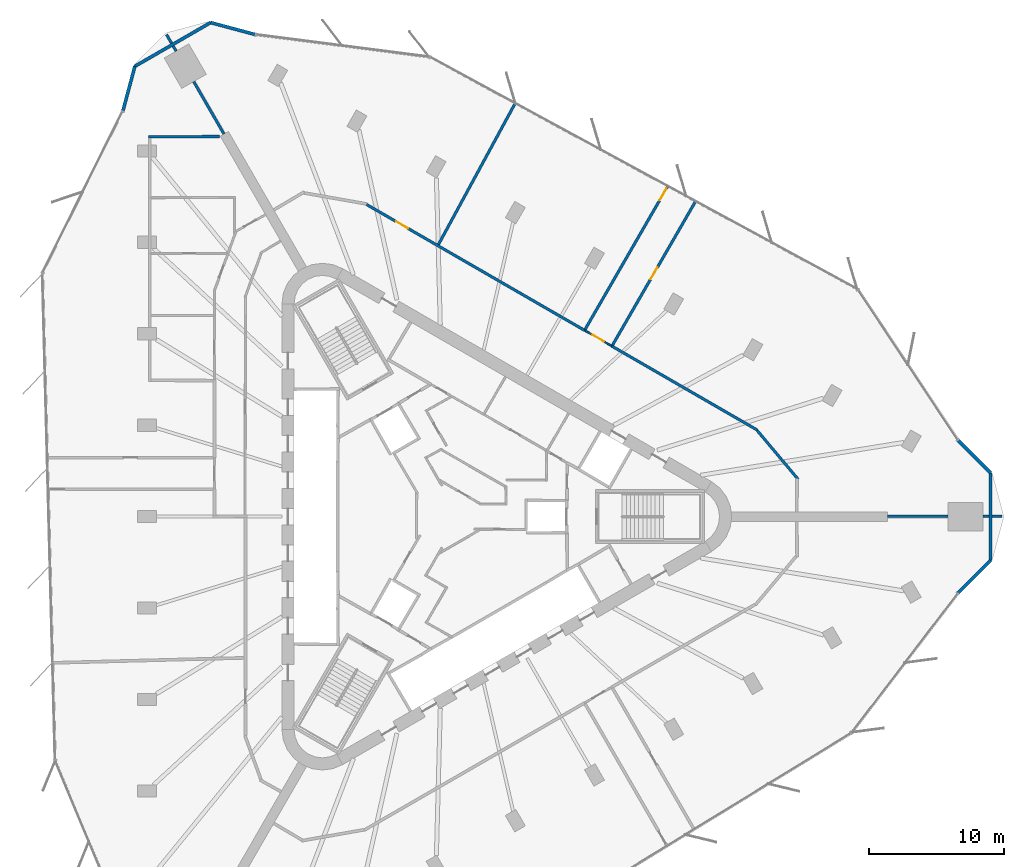
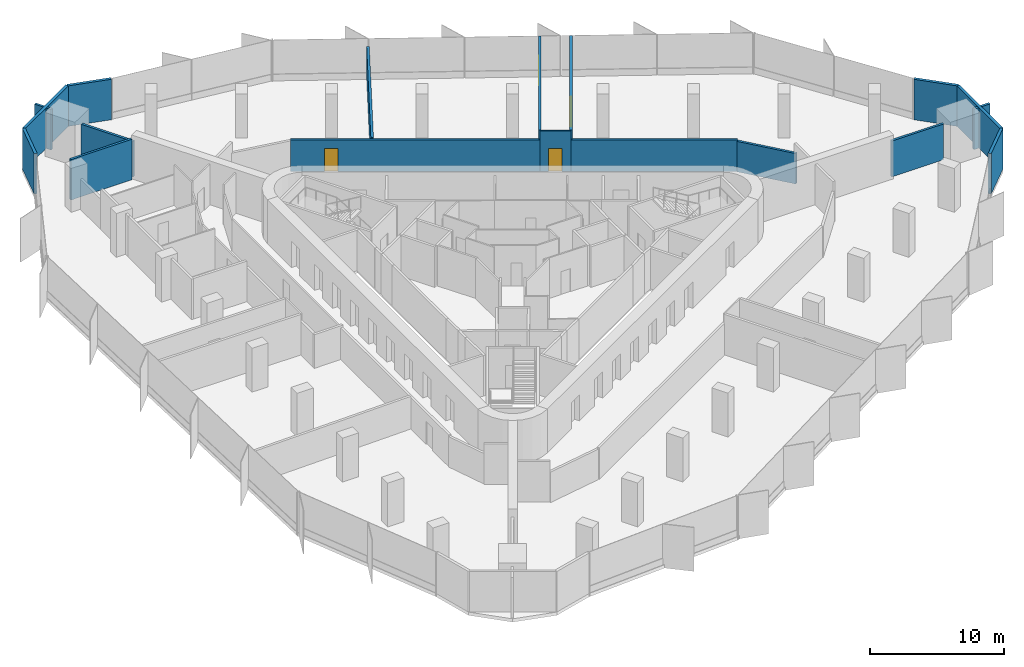
# One storey, part 12 of 14: 20 walls, 4 doors, 4 openings.
"""IFC4 building model written with IfcOpenShell, lengths in metres."""

import ifcopenshell
import ifcopenshell.guid

model = None  # the IFC model being written
_history = None  # IfcOwnerHistory: only IFC2X3 demands one
_inside = {}  # id of a spatial element -> (the spatial element, [elements in it])
_under = {}  # id of a project, library or spatial element -> (it, [spatial elements below it])
_declared = {}  # id of a project -> (the project, [libraries it declares])
_typed = {}  # id of a type object -> (the type object, [elements of that type])
_made_of = {}  # id of a material, layer set ... -> (it, [elements and type objects made of it])


def new_model(schema):
    """Start an empty IFC model of exactly this schema.

    Asked for "IFC4X3", IfcOpenShell would pick the latest addendum, in which some entities
    have other attributes; the version numbers below select the first issue.
    IFC2X3 requires an IfcOwnerHistory on every rooted entity: one is made here for all.
    """
    global model, _history
    if schema == "IFC4X3":
        model = ifcopenshell.file(schema_version=(4, 3, 0, 0))
    else:
        model = ifcopenshell.file(schema=schema)
    _inside.clear()
    _under.clear()
    _declared.clear()
    _typed.clear()
    _made_of.clear()
    _history = None
    if model.schema == "IFC2X3":
        org = make("IfcOrganization", Name="unknown")
        user = make(
            "IfcPersonAndOrganization",
            ThePerson=make("IfcPerson", FamilyName="unknown"),
            TheOrganization=org,
        )
        app = make(
            "IfcApplication",
            ApplicationDeveloper=org,
            Version="unknown",
            ApplicationFullName="unknown",
            ApplicationIdentifier="unknown",
        )
        _history = make(
            "IfcOwnerHistory",
            OwningUser=user,
            OwningApplication=app,
            ChangeAction="ADDED",
            CreationDate=0,
        )
    return model


def make(cls, **values):
    """One entity of the class cls with the attributes given. An attribute that is None is left unset."""
    return model.create_entity(
        cls, **{name: value for name, value in values.items() if value is not None}
    )


def rooted(cls, **values):
    """An entity with a GlobalId (a new one), such as an element, a storey or a relation."""
    return make(cls, GlobalId=ifcopenshell.guid.new(), OwnerHistory=_history, **values)


def si_unit(unit_type, name, prefix=None):
    """IfcSIUnit, for example si_unit("LENGTHUNIT", "METRE", prefix="MILLI")."""
    return make("IfcSIUnit", UnitType=unit_type, Prefix=prefix, Name=name)


def assignment(units):
    """IfcUnitAssignment: the units of a project."""
    return None if units is None else make("IfcUnitAssignment", Units=units)


def point(xyz):
    """IfcCartesianPoint."""
    return None if xyz is None else make("IfcCartesianPoint", Coordinates=xyz)


def direction(xyz):
    """IfcDirection."""
    return None if xyz is None else make("IfcDirection", DirectionRatios=xyz)


def frame(location, z_axis=None, x_axis=None):
    """IfcAxis2Placement3D, a coordinate frame: its origin and axes. An axis left out is left unset."""
    return make(
        "IfcAxis2Placement3D",
        Location=point(location),
        Axis=direction(z_axis),
        RefDirection=direction(x_axis),
    )


def frame_2d(location, x_axis=None):
    """IfcAxis2Placement2D, a coordinate frame in the plane: its origin and x axis."""
    return make(
        "IfcAxis2Placement2D", Location=point(location), RefDirection=direction(x_axis)
    )


def origin():
    """The frame at (0, 0, 0) with its axes left unset."""
    return frame((0.0, 0.0, 0.0))


def place(relative_to, where):
    """IfcLocalPlacement: puts the frame where relative to a parent placement (None: the world)."""
    return make(
        "IfcLocalPlacement", PlacementRelTo=relative_to, RelativePlacement=where
    )


def context(
    kind, dimensions, precision=None, world=None, true_north=None, identifier=None
):
    """IfcGeometricRepresentationContext, for example the 3D "Model" context."""
    return make(
        "IfcGeometricRepresentationContext",
        ContextIdentifier=identifier,
        ContextType=kind,
        CoordinateSpaceDimension=dimensions,
        Precision=precision,
        WorldCoordinateSystem=world,
        TrueNorth=true_north,
    )


def subcontext(parent, identifier, kind, view, scale=None):
    """IfcGeometricRepresentationSubContext, for example "Body" below "Model"."""
    return make(
        "IfcGeometricRepresentationSubContext",
        ContextIdentifier=identifier,
        ContextType=kind,
        ParentContext=parent,
        TargetScale=scale,
        TargetView=view,
    )


def project(units=None, contexts=None):
    """IfcProject with its units and contexts."""
    return rooted(
        "IfcProject",
        Name="project",
        RepresentationContexts=contexts,
        UnitsInContext=assignment(units),
    )


def spatial(cls, under=None, at=None, **own):
    """A site, building, storey or space (cls), placed at a placement, below another one or the project."""
    s = rooted(cls, ObjectPlacement=at, **own)
    if under is not None:
        _under.setdefault(under.id(), (under, []))[1].append(s)
    return s


def profile(cls, at=None, kind="AREA", **sizes):
    """A parametric profile (cls). Its sizes go by their IFC names, for example OverallWidth=200.0."""
    return make(cls, ProfileType=kind, Position=at, **sizes)


def rectangle(**sizes):
    """IfcRectangleProfileDef."""
    return profile("IfcRectangleProfileDef", **sizes)


def extrude(swept, where, along, depth):
    """IfcExtrudedAreaSolid: the profile swept, set in the frame where, extruded along a direction by depth."""
    return make(
        "IfcExtrudedAreaSolid",
        SweptArea=swept,
        Position=where,
        ExtrudedDirection=direction(along),
        Depth=depth,
    )


def shape(context_of_items, identifier, shape_type, items):
    """IfcShapeRepresentation: the items that make up one representation, for example the "Body"."""
    return make(
        "IfcShapeRepresentation",
        ContextOfItems=context_of_items,
        RepresentationIdentifier=identifier,
        RepresentationType=shape_type,
        Items=items,
    )


def material(Name=None, Category=None):
    """IfcMaterial."""
    return make("IfcMaterial", Name=Name, Category=Category)


def layer(
    of_material, thickness, ventilated=None, Name=None, Category=None, Priority=None
):
    """IfcMaterialLayer: one layer of a wall or slab, of a material (None: an air gap)."""
    return make(
        "IfcMaterialLayer",
        Material=of_material,
        LayerThickness=thickness,
        IsVentilated=ventilated,
        Name=Name,
        Category=Category,
        Priority=Priority,
    )


def layer_set(layers, Name=None):
    """IfcMaterialLayerSet."""
    return make("IfcMaterialLayerSet", MaterialLayers=layers, LayerSetName=Name)


def made_of(thing, what):
    """Note that an element or type object is made of a material, layer set ...; save() writes the relation."""
    if what is not None:
        _made_of.setdefault(what.id(), (what, []))[1].append(thing)
    return thing


def type_object(cls, material=None, **own):
    """A type object (cls), such as IfcWallType, which elements share."""
    return made_of(rooted(cls, **own), material)


def element(
    cls,
    number,
    at=None,
    inside=None,
    cuts=None,
    type_object=None,
    material=None,
    context=None,
    identifier="Body",
    shape_type=None,
    held_by="IfcProductDefinitionShape",
    body=None,
    shapes=None,
    **own,
):
    """One element of the class cls, such as IfcWall. Its Tag is "e" and its number.

    at: its placement. inside: the storey or other place that contains it. cuts: it is an
    opening in that element (IfcRelVoidsElement). A single representation is given by context,
    identifier, shape_type and body (its items); several are given by shapes. held_by: the class
    of the entity that holds the representations. save() writes the other relations.
    """
    e = rooted(cls, Tag="e%d" % number, ObjectPlacement=at, **own)
    if body is not None:
        shapes = [shape(context, identifier, shape_type, body)]
    if shapes is not None:
        e.Representation = make(held_by, Representations=shapes)
    if inside is not None:
        _inside.setdefault(inside.id(), (inside, []))[1].append(e)
    if cuts is not None:
        rooted(
            "IfcRelVoidsElement", RelatingBuildingElement=cuts, RelatedOpeningElement=e
        )
    if type_object is not None:
        _typed.setdefault(type_object.id(), (type_object, []))[1].append(e)
    return made_of(e, material)


def fill(opening, filler):
    """IfcRelFillsElement: the door or window that sits in an opening."""
    return rooted(
        "IfcRelFillsElement",
        RelatingOpeningElement=opening,
        RelatedBuildingElement=filler,
    )


def aggregate(whole, parts):
    """IfcRelAggregates: a whole, such as a stair, and the parts it consists of."""
    return rooted("IfcRelAggregates", RelatingObject=whole, RelatedObjects=parts)


def save(model, path):
    """Write the relations noted so far, then the file.

    IfcRelAggregates (storeys below a building ...), IfcRelContainedInSpatialStructure (elements
    in a storey), IfcRelDefinesByType, IfcRelAssociatesMaterial and IfcRelDeclares: one each for
    every whole, place, type object, material and project.
    """
    for whole, parts in _under.values():
        aggregate(whole, parts)
    for where, things in _inside.values():
        rooted(
            "IfcRelContainedInSpatialStructure",
            RelatedElements=things,
            RelatingStructure=where,
        )
    for kind, things in _typed.values():
        rooted("IfcRelDefinesByType", RelatedObjects=things, RelatingType=kind)
    for what, things in _made_of.values():
        rooted("IfcRelAssociatesMaterial", RelatedObjects=things, RelatingMaterial=what)
    for by, libraries in _declared.values():
        rooted("IfcRelDeclares", RelatingContext=by, RelatedDefinitions=libraries)
    model.write(path)


model = new_model("IFC4")

# Units and contexts
model_context = context("Model", 3, precision=1e-05, world=origin(), true_north=direction((0.0, 1.0)))
body_context = subcontext(model_context, "Body", "Model", "MODEL_VIEW")
ifc_project = project(units=[si_unit("LENGTHUNIT", "METRE"), si_unit("AREAUNIT", "SQUARE_METRE"), si_unit("VOLUMEUNIT", "CUBIC_METRE"), si_unit("PLANEANGLEUNIT", "RADIAN"), si_unit("MASSUNIT", "GRAM", prefix="KILO")], contexts=[model_context])

# Site, building, storey
site_placement = place(None, origin())
site = spatial("IfcSite", under=ifc_project, at=site_placement, CompositionType="ELEMENT")
building_placement = place(site_placement, origin())
building = spatial("IfcBuilding", under=site, at=building_placement, Name="Tanit Gate Tower", CompositionType="ELEMENT")
storey_placement = place(building_placement, frame((0.0, 0.0, 221.199951171875)))
storey = spatial("IfcBuildingStorey", under=building, at=storey_placement, Name="L49", CompositionType="ELEMENT", Elevation=221.199951171875)

# Walls
ifc_material_1 = material(Name="Concrete C30/37 with bronze anodised aluminium cladding", Category="concrete")
ifc_layer_1 = layer(ifc_material_1, 0.239990234375)
ifc_layer_set_1 = layer_set([ifc_layer_1], Name="Facade wall bronze clad 240")
wall_type_1 = type_object("IfcWallType", Name="Facade wall bronze clad 240", PredefinedType="SOLIDWALL", material=ifc_layer_set_1)
wall_1_placement = place(storey_placement, frame((-14.09521484375, 35.705322265625, 0.0), z_axis=(0.0, 0.0, 1.0), x_axis=(-0.965908597484, 0.258883335322, 0.0)))
element("IfcWall", 1, at=wall_1_placement, inside=storey, type_object=wall_type_1, Name="Bronze-clad facade wall L49 NW.arc1", PredefinedType="SOLIDWALL", context=body_context, shape_type="SweptSolid", body=[
    extrude(rectangle(XDim=3.397705078125, YDim=0.239990234375, at=frame_2d((1.69873046875, 0.0))), origin(), (0.0, 0.0, 1.0), 3.699951171875),
])
wall_2_placement = place(storey_placement, frame((-17.377197265625, 36.5849609375, 0.0), z_axis=(0.0, 0.0, 1.0), x_axis=(-0.866022628259, -0.50000480732, 0.0)))
element("IfcWall", 2, at=wall_2_placement, inside=storey, type_object=wall_type_1, Name="Bronze-clad facade wall L49 NW.arc2", PredefinedType="SOLIDWALL", context=body_context, shape_type="SweptSolid", body=[
    extrude(rectangle(XDim=6.48681640625, YDim=0.239990234375, at=frame_2d((3.243408203125, 0.0))), origin(), (0.0, 0.0, 1.0), 3.699951171875),
])
wall_3_placement = place(storey_placement, frame((-22.994873046875, 33.341552734375, 0.0), z_axis=(0.0, 0.0, 1.0), x_axis=(-0.25879706975, -0.965931714299, 0.0)))
element("IfcWall", 3, at=wall_3_placement, inside=storey, type_object=wall_type_1, Name="Bronze-clad facade wall L49 NW.arc3", PredefinedType="SOLIDWALL", context=body_context, shape_type="SweptSolid", body=[
    extrude(rectangle(XDim=3.40185546875, YDim=0.239990234375, at=frame_2d((1.700927734375, 0.0))), origin(), (0.0, 0.0, 1.0), 3.699951171875),
])
wall_4_placement = place(storey_placement, frame((37.96923828125, -5.64599609375, 0.0), z_axis=(0.0, 0.0, 1.0), x_axis=(0.70714270502, 0.707070855528, 0.0)))
element("IfcWall", 4, at=wall_4_placement, inside=storey, type_object=wall_type_1, Name="Bronze-clad facade wall L49 E.arc1", PredefinedType="SOLIDWALL", context=body_context, shape_type="SweptSolid", body=[
    extrude(rectangle(XDim=3.39794921875, YDim=0.239990234375, at=frame_2d((1.698974609375, 0.0))), origin(), (0.0, 0.0, 1.0), 3.699951171875),
])
wall_5_placement = place(storey_placement, frame((40.3720703125, -3.243408203125, 0.0), z_axis=(0.0, 0.0, 1.0), x_axis=(0.0, 1.0, 0.0)))
element("IfcWall", 5, at=wall_5_placement, inside=storey, type_object=wall_type_1, Name="Bronze-clad facade wall L49 E.arc2", PredefinedType="SOLIDWALL", context=body_context, shape_type="SweptSolid", body=[
    extrude(rectangle(XDim=6.48681640625, YDim=0.239990234375, at=frame_2d((3.243408203125, 0.0))), origin(), (0.0, 0.0, 1.0), 3.699951171875),
])
wall_6_placement = place(storey_placement, frame((40.3720703125, 3.243408203125, 0.0), z_axis=(0.0, 0.0, 1.0), x_axis=(-0.707142664913, 0.707070895639, 0.0)))
element("IfcWall", 6, at=wall_6_placement, inside=storey, type_object=wall_type_1, Name="Bronze-clad facade wall L49 E.arc3", PredefinedType="SOLIDWALL", context=body_context, shape_type="SweptSolid", body=[
    extrude(rectangle(XDim=3.40185546875, YDim=0.239990234375, at=frame_2d((1.700927734375, 0.0))), origin(), (0.0, 0.0, 1.0), 3.699951171875),
])
ifc_material_2 = material(Name="Fire-rated gypsum board partition")
ifc_layer_2 = layer(ifc_material_2, 0.199951171875)
ifc_layer_set_2 = layer_set([ifc_layer_2], Name="INT-WALL-COMPARTMENT")
wall_type_2 = type_object("IfcWallType", Name="INT-WALL-COMPARTMENT", PredefinedType="PARTITIONING", material=ifc_layer_set_2)
wall_7_placement = place(storey_placement, frame((23.118896484375, 6.397705078125, 0.0), z_axis=(0.0, 0.0, 1.0), x_axis=(-0.866027821991, 0.499995811521, 0.0)))
element("IfcWall", 7, at=wall_7_placement, inside=storey, type_object=wall_type_2, Name="Wall Compartment W106", PredefinedType="PARTITIONING", context=body_context, shape_type="SweptSolid", body=[
    extrude(rectangle(XDim=12.47265625, YDim=0.199951171875, at=frame_2d((6.236328125, 0.0))), origin(), (0.0, 0.0, 1.0), 2.880126953125),
])

# Wall, opening, door
wall_8_placement = place(storey_placement, frame((10.325439453125, 13.783935546875, 0.0), z_axis=(0.0, 0.0, 1.0), x_axis=(-0.866025119466, 0.500000492453, 0.0)))
wall_8 = element("IfcWall", 8, at=wall_8_placement, inside=storey, type_object=wall_type_2, Name="Wall Compartment W105", PredefinedType="PARTITIONING", context=body_context, shape_type="SweptSolid", body=[
    extrude(rectangle(XDim=18.6728515625, YDim=0.199951171875, at=frame_2d((9.33642578125, 0.0))), origin(), (0.0, 0.0, 1.0), 2.880126953125),
])
opening_1_placement = place(wall_8_placement, frame((15.1181640625, 0.0, 0.0)))
opening_1 = element("IfcOpeningElement", 9, at=opening_1_placement, cuts=wall_8, Name="Opening F10-S13-29", PredefinedType="OPENING", context=body_context, shape_type="SweptSolid", body=[
    extrude(rectangle(XDim=1.0, YDim=2.10009765625, at=frame_2d((0.5, 1.050048828125))), frame((0.0, 0.10986328125, 0.0), z_axis=(0.0, -1.0, 0.0), x_axis=(1.0, 0.0, 0.0)), (0.0, 0.0, 1.0), 0.219970703125),
])
ifc_material_3 = material(Name="Fire-rated steel door leaf", Category="steel")
door_type_1 = type_object("IfcDoorType", Name="INT-DOOR-FIRE-1000", OperationType="NOTDEFINED", PredefinedType="USERDEFINED", material=ifc_material_3)
door_1_placement = place(opening_1_placement, origin())
door_1 = element("IfcDoor", 10, at=door_1_placement, inside=storey, type_object=door_type_1, Name="Door F10-S13-29", ObjectType="FIRE DOOR", OperationType="SINGLE_SWING_RIGHT", OverallHeight=2.10009765625, OverallWidth=1.0, PredefinedType="USERDEFINED", context=body_context, shape_type="SweptSolid", body=[
    extrude(rectangle(XDim=1.0, YDim=2.10009765625, at=frame_2d((0.5, 1.050048828125))), frame((0.0, 0.02490234375, 0.0), z_axis=(0.0, -1.0, 0.0), x_axis=(1.0, 0.0, 0.0)), (0.0, 0.0, 1.0), 0.050048828125),
])
fill(opening_1, door_1)

# Walls
wall_9_placement = place(storey_placement, frame((26.12109375, 2.766357421875, 0.0), z_axis=(0.0, 0.0, 1.0), x_axis=(-0.642778291452, 0.766052261949, 0.0)))
element("IfcWall", 11, at=wall_9_placement, inside=storey, type_object=wall_type_2, Name="Wall Compartment W107", PredefinedType="PARTITIONING", context=body_context, shape_type="SweptSolid", body=[
    extrude(rectangle(XDim=4.70556640625, YDim=0.199951171875, at=frame_2d((2.352783203125, 0.0))), origin(), (0.0, 0.0, 1.0), 2.780029296875),
])
wall_10_placement = place(storey_placement, frame((-20.642578125, 35.69384765625, 0.0), z_axis=(0.0, 0.0, 1.0), x_axis=(0.500178781653, -0.865922159541, 0.0)))
element("IfcWall", 12, at=wall_10_placement, inside=storey, type_object=wall_type_2, Name="Wall Compartment W121", PredefinedType="PARTITIONING", context=body_context, shape_type="SweptSolid", body=[
    extrude(rectangle(XDim=0.740966796875, YDim=0.199951171875, at=frame_2d((0.37060546875, 0.0))), origin(), (0.0, 0.0, 1.0), 3.699951171875),
])
wall_11_placement = place(storey_placement, frame((-20.152099609375, 34.84423828125, 0.0), z_axis=(0.0, 0.0, 1.0), x_axis=(0.500286910726, -0.865859692419, 0.0)))
element("IfcWall", 13, at=wall_11_placement, inside=storey, type_object=wall_type_2, Name="Wall Compartment W121x1", PredefinedType="PARTITIONING", context=body_context, shape_type="SweptSolid", body=[
    extrude(rectangle(XDim=0.436767578125, YDim=0.199951171875, at=frame_2d((0.21826171875, 0.0))), origin(), (0.0, 0.0, 1.0), 3.699951171875),
])
wall_12_placement = place(storey_placement, frame((-18.633544921875, 32.21435546875, 0.0), z_axis=(0.0, 0.0, 1.0), x_axis=(0.499962811355, -0.866046873594, 0.0)))
element("IfcWall", 14, at=wall_12_placement, inside=storey, type_object=wall_type_2, Name="Wall Compartment W122", PredefinedType="PARTITIONING", context=body_context, shape_type="SweptSolid", body=[
    extrude(rectangle(XDim=4.484130859375, YDim=0.199951171875, at=frame_2d((2.2421875, 0.0))), origin(), (0.0, 0.0, 1.0), 3.27001953125),
])
wall_13_placement = place(storey_placement, frame((-16.708984375, 28.1474609375, 0.0), z_axis=(0.0, 0.0, 1.0), x_axis=(-0.999985868011, -0.00531636886, 0.0)))
element("IfcWall", 15, at=wall_13_placement, inside=storey, type_object=wall_type_2, Name="Wall Compartment W127", PredefinedType="PARTITIONING", context=body_context, shape_type="SweptSolid", body=[
    extrude(rectangle(XDim=5.281005859375, YDim=0.199951171875, at=frame_2d((2.640625, 0.0))), origin(), (0.0, 0.0, 1.0), 3.699951171875),
])

# Wall, opening, door
wall_14_placement = place(storey_placement, frame((16.468505859375, 24.46435546875, 0.0), z_axis=(0.0, 0.0, 1.0), x_axis=(-0.499989616998, -0.866031398331, 0.0)))
wall_14 = element("IfcWall", 16, at=wall_14_placement, inside=storey, type_object=wall_type_2, Name="Wall Compartment W129", PredefinedType="PARTITIONING", context=body_context, shape_type="SweptSolid", body=[
    extrude(rectangle(XDim=12.260986328125, YDim=0.199951171875, at=frame_2d((6.13037109375, 0.0))), origin(), (0.0, 0.0, 1.0), 3.699951171875),
])
opening_2_placement = place(wall_14_placement, frame((0.199951171875, 0.0, 0.0)))
opening_2 = element("IfcOpeningElement", 17, at=opening_2_placement, cuts=wall_14, Name="Opening F10-S13-30", PredefinedType="OPENING", context=body_context, shape_type="SweptSolid", body=[
    extrude(rectangle(XDim=1.0, YDim=2.10009765625, at=frame_2d((0.5, 1.050048828125))), frame((0.0, 0.10986328125, 0.0), z_axis=(0.0, -1.0, 0.0), x_axis=(1.0, 0.0, 0.0)), (0.0, 0.0, 1.0), 0.219970703125),
])
door_2_placement = place(opening_2_placement, origin())
door_2 = element("IfcDoor", 18, at=door_2_placement, inside=storey, type_object=door_type_1, Name="Door F10-S13-30", ObjectType="FIRE DOOR", OperationType="SINGLE_SWING_RIGHT", OverallHeight=2.10009765625, OverallWidth=1.0, PredefinedType="USERDEFINED", context=body_context, shape_type="SweptSolid", body=[
    extrude(rectangle(XDim=1.0, YDim=2.10009765625, at=frame_2d((0.5, 1.050048828125))), frame((0.0, 0.02490234375, 0.0), z_axis=(0.0, -1.0, 0.0), x_axis=(1.0, 0.0, 0.0)), (0.0, 0.0, 1.0), 0.050048828125),
])
fill(opening_2, door_2)

wall_15_placement = place(storey_placement, frame((12.364501953125, 12.676025390625, 0.0), z_axis=(0.0, 0.0, 1.0), x_axis=(0.500008872635, 0.866020281106, 0.0)))
wall_15 = element("IfcWall", 19, at=wall_15_placement, inside=storey, type_object=wall_type_2, Name="Wall Compartment W130", PredefinedType="PARTITIONING", context=body_context, shape_type="SweptSolid", body=[
    extrude(rectangle(XDim=12.322021484375, YDim=0.199951171875, at=frame_2d((6.1611328125, 0.0))), origin(), (0.0, 0.0, 1.0), 3.699951171875),
])
opening_3_placement = place(wall_15_placement, frame((5.660888671875, 0.0, 0.0)))
opening_3 = element("IfcOpeningElement", 20, at=opening_3_placement, cuts=wall_15, Name="Opening F10-S13-31", PredefinedType="OPENING", context=body_context, shape_type="SweptSolid", body=[
    extrude(rectangle(XDim=1.0, YDim=2.10009765625, at=frame_2d((0.5, 1.050048828125))), frame((0.0, 0.10986328125, 0.0), z_axis=(0.0, -1.0, 0.0), x_axis=(1.0, 0.0, 0.0)), (0.0, 0.0, 1.0), 0.219970703125),
])
door_3_placement = place(opening_3_placement, origin())
door_3 = element("IfcDoor", 21, at=door_3_placement, inside=storey, type_object=door_type_1, Name="Door F10-S13-31", ObjectType="FIRE DOOR", OperationType="SINGLE_SWING_LEFT", OverallHeight=2.10009765625, OverallWidth=1.0, PredefinedType="USERDEFINED", context=body_context, shape_type="SweptSolid", body=[
    extrude(rectangle(XDim=1.0, YDim=2.10009765625, at=frame_2d((0.5, 1.050048828125))), frame((0.0, 0.02490234375, 0.0), z_axis=(0.0, -1.0, 0.0), x_axis=(1.0, 0.0, 0.0)), (0.0, 0.0, 1.0), 0.050048828125),
])
fill(opening_3, door_3)

# Walls
wall_16_placement = place(storey_placement, frame((-0.507568359375, 20.15380859375, 0.0), z_axis=(0.0, 0.0, 1.0), x_axis=(0.477264499804, 0.878759692536, 0.0)))
element("IfcWall", 22, at=wall_16_placement, inside=storey, type_object=wall_type_2, Name="Wall Compartment W131", PredefinedType="PARTITIONING", context=body_context, shape_type="SweptSolid", body=[
    extrude(rectangle(XDim=11.8896484375, YDim=0.199951171875, at=frame_2d((5.94482421875, 0.0))), origin(), (0.0, 0.0, 1.0), 2.97998046875),
])
wall_17_placement = place(storey_placement, frame((32.73095703125, 0.030029296875, 0.0), z_axis=(0.0, 0.0, 1.0), x_axis=(1.0, 0.0, 0.0)))
element("IfcWall", 23, at=wall_17_placement, inside=storey, type_object=wall_type_2, Name="Wall Compartment W132", PredefinedType="PARTITIONING", context=body_context, shape_type="SweptSolid", body=[
    extrude(rectangle(XDim=4.484375, YDim=0.199951171875, at=frame_2d((2.2421875, 0.0))), origin(), (0.0, 0.0, 1.0), 3.27001953125),
])
wall_18_placement = place(storey_placement, frame((39.815185546875, 0.030029296875, 0.0), z_axis=(0.0, 0.0, 1.0), x_axis=(1.0, 0.0, 0.0)))
element("IfcWall", 24, at=wall_18_placement, inside=storey, type_object=wall_type_2, Name="Wall Compartment W133", PredefinedType="PARTITIONING", context=body_context, shape_type="SweptSolid", body=[
    extrude(rectangle(XDim=0.436767578125, YDim=0.199951171875, at=frame_2d((0.21826171875, 0.0))), origin(), (0.0, 0.0, 1.0), 3.699951171875),
])
wall_19_placement = place(storey_placement, frame((40.491943359375, 0.030029296875, 0.0), z_axis=(0.0, 0.0, 1.0), x_axis=(1.0, 0.0, 0.0)))
element("IfcWall", 25, at=wall_19_placement, inside=storey, type_object=wall_type_2, Name="Wall Compartment W133x1", PredefinedType="PARTITIONING", context=body_context, shape_type="SweptSolid", body=[
    extrude(rectangle(XDim=0.7412109375, YDim=0.199951171875, at=frame_2d((0.37060546875, 0.0))), origin(), (0.0, 0.0, 1.0), 3.699951171875),
])

# Wall, opening, door
ifc_material_4 = material(Name="Gypsum board partition")
ifc_layer_3 = layer(ifc_material_4, 0.1201171875)
ifc_layer_set_3 = layer_set([ifc_layer_3], Name="INT-WALL-PARTITION")
wall_type_3 = type_object("IfcWallType", Name="INT-WALL-PARTITION", PredefinedType="PARTITIONING", material=ifc_layer_set_3)
wall_20_placement = place(storey_placement, frame((10.325439453125, 13.783935546875, 0.0), z_axis=(0.0, 0.0, 1.0), x_axis=(0.86602648383, -0.499998129301, 0.0)))
wall_20 = element("IfcWall", 26, at=wall_20_placement, inside=storey, type_object=wall_type_3, Name="Wall Partition W101", PredefinedType="PARTITIONING", context=body_context, shape_type="SweptSolid", body=[
    extrude(rectangle(XDim=2.2998046875, YDim=0.1201171875, at=frame_2d((1.14990234375, 0.0))), origin(), (0.0, 0.0, 1.0), 3.699951171875),
])
opening_4_placement = place(wall_20_placement, frame((0.64990234375, 0.0, 0.0)))
opening_4 = element("IfcOpeningElement", 27, at=opening_4_placement, cuts=wall_20, Name="Opening D10-S13-20", PredefinedType="OPENING", context=body_context, shape_type="SweptSolid", body=[
    extrude(rectangle(XDim=1.0, YDim=2.10009765625, at=frame_2d((0.5, 1.050048828125))), frame((0.0, 0.070068359375, 0.0), z_axis=(0.0, -1.0, 0.0), x_axis=(1.0, 0.0, 0.0)), (0.0, 0.0, 1.0), 0.14013671875),
])
ifc_material_5 = material(Name="Timber door leaf", Category="wood")
door_type_2 = type_object("IfcDoorType", Name="INT-DOOR-SINGLE-1000", OperationType="NOTDEFINED", PredefinedType="NOTDEFINED", material=ifc_material_5)
door_4_placement = place(opening_4_placement, origin())
door_4 = element("IfcDoor", 28, at=door_4_placement, inside=storey, type_object=door_type_2, Name="Door D10-S13-20", OperationType="SINGLE_SWING_LEFT", OverallHeight=2.10009765625, OverallWidth=1.0, PredefinedType="NOTDEFINED", context=body_context, shape_type="SweptSolid", body=[
    extrude(rectangle(XDim=1.0, YDim=2.10009765625, at=frame_2d((0.5, 1.050048828125))), frame((0.0, 0.02490234375, 0.0), z_axis=(0.0, -1.0, 0.0), x_axis=(1.0, 0.0, 0.0)), (0.0, 0.0, 1.0), 0.050048828125),
])
fill(opening_4, door_4)

save(model, "model.ifc")
